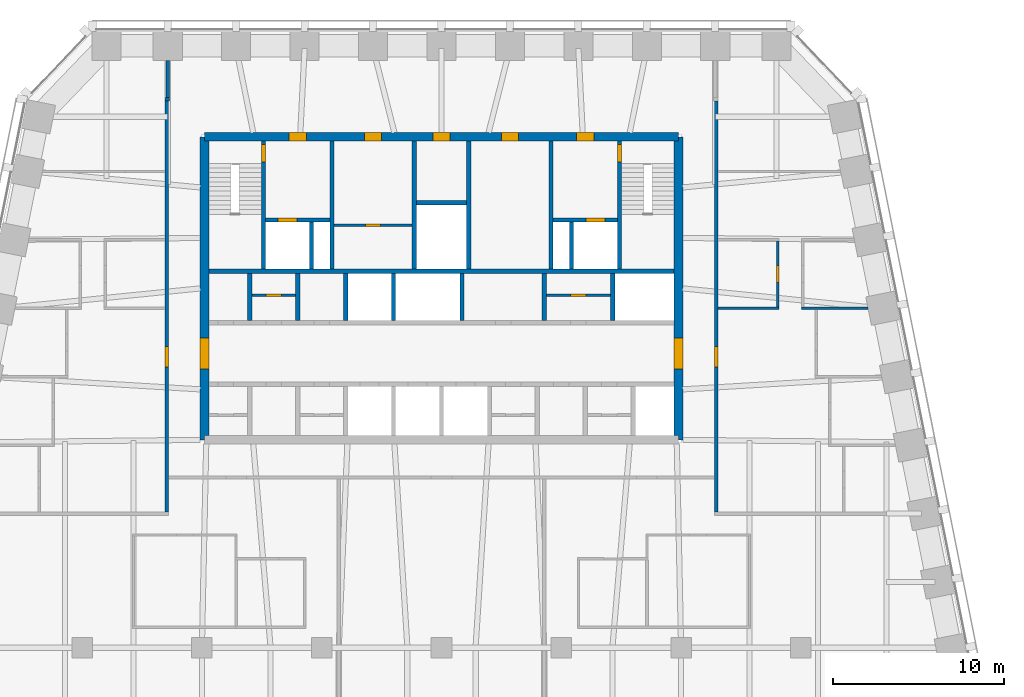
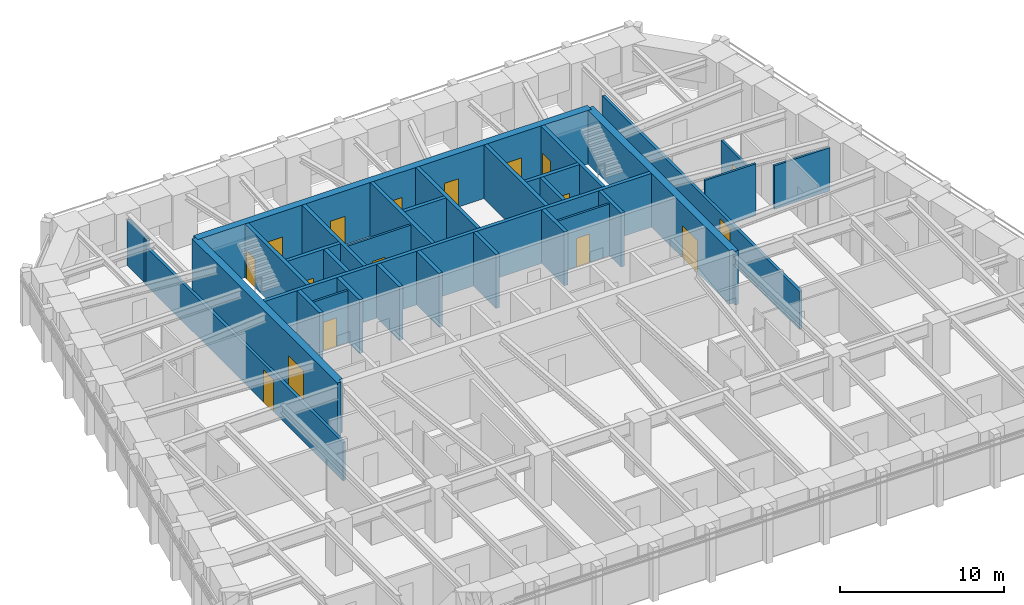
# One storey, part 8 of 11: 32 walls, 17 doors, 17 openings.
"""IFC4 building model written with IfcOpenShell, lengths in metres."""

from ifc_helpers import new_model, si_unit, direction, frame, frame_2d, origin, place, context, subcontext, project, spatial, polyline, rectangle, outline, extrude, material, layer, layer_set, type_object, element, fill, save


model = new_model("IFC4")

# Units and contexts
model_context = context("Model", 3, precision=1e-05, world=origin(), true_north=direction((0.0, 1.0)))
body_context = subcontext(model_context, "Body", "Model", "MODEL_VIEW")
ifc_project = project(units=[si_unit("LENGTHUNIT", "METRE"), si_unit("AREAUNIT", "SQUARE_METRE"), si_unit("VOLUMEUNIT", "CUBIC_METRE"), si_unit("PLANEANGLEUNIT", "RADIAN"), si_unit("MASSUNIT", "GRAM", prefix="KILO")], contexts=[model_context])

# Site, building, storey
site_placement = place(None, origin())
site = spatial("IfcSite", under=ifc_project, at=site_placement, CompositionType="ELEMENT")
building_placement = place(site_placement, origin())
building = spatial("IfcBuilding", under=site, at=building_placement, Name="Isbrekke Arena Tower", CompositionType="ELEMENT")
storey_placement = place(building_placement, frame((0.0, 0.0, 248.0)))
storey = spatial("IfcBuildingStorey", under=building, at=storey_placement, Name="L57", CompositionType="ELEMENT", Elevation=248.0)

# Wall, opening, door
ifc_material_1 = material(Name="Concrete B55 (C55/67)", Category="concrete")
ifc_layer_1 = layer(ifc_material_1, 0.5)
ifc_layer_set_1 = layer_set([ifc_layer_1], Name="CW5 CORE WALL 500")
wall_type_1 = type_object("IfcWallType", Name="CW5 CORE WALL 500", PredefinedType="SHEAR", material=ifc_layer_set_1)
wall_1_placement = place(storey_placement, frame((13.85009765625, 6.14990234375, 0.0), z_axis=(0.0, 0.0, 1.0), x_axis=(0.0, 1.0, 0.0)))
wall_1 = element("IfcWall", 1, at=wall_1_placement, inside=storey, type_object=wall_type_1, Name="Core wall E L57", PredefinedType="SHEAR", context=body_context, shape_type="SweptSolid", body=[
    extrude(outline(polyline([(0.0, -0.25), (17.7001953125, -0.25), (17.7001953125, 0.0), (17.4501953125, 0.0), (17.4501953125, 0.25), (0.25, 0.25), (0.25, 0.0), (0.0, 0.0), (0.0, -0.25)])), origin(), (0.0, 0.0, 1.0), 4.0),
])
opening_1_placement = place(wall_1_placement, frame((4.14990234375, 0.0, 0.0)))
opening_1 = element("IfcOpeningElement", 2, at=opening_1_placement, cuts=wall_1, Name="Opening D1", PredefinedType="OPENING", context=body_context, shape_type="SweptSolid", body=[
    extrude(rectangle(XDim=1.800048828125, YDim=2.39990234375, at=frame_2d((0.89990234375, 1.199951171875))), frame((0.0, 0.264892578125, 0.0), z_axis=(0.0, -1.0, 0.0), x_axis=(1.0, 0.0, 0.0)), (0.0, 0.0, 1.0), 0.52978515625),
])
ifc_material_2 = material(Name="Steel-framed glazed fire door", Category="steel")
door_type_1 = type_object("IfcDoorType", Name="D1 CORE LOBBY DOOR 1800 x 2400", OperationType="DOUBLE_DOOR_SINGLE_SWING", PredefinedType="DOOR", material=ifc_material_2)
door_1_placement = place(opening_1_placement, origin())
door_1 = element("IfcDoor", 3, at=door_1_placement, inside=storey, type_object=door_type_1, Name="D1 lift lobby door east L57", OperationType="DOUBLE_DOOR_SINGLE_SWING", OverallHeight=2.39990234375, OverallWidth=1.800048828125, PredefinedType="DOOR", context=body_context, shape_type="SweptSolid", body=[
    extrude(rectangle(XDim=1.800048828125, YDim=2.39990234375, at=frame_2d((0.89990234375, 1.199951171875))), frame((0.0, 0.249755859375, 0.0), z_axis=(0.0, -1.0, 0.0), x_axis=(1.0, 0.0, 0.0)), (0.0, 0.0, 1.0), 0.49951171875),
])
fill(opening_1, door_1)

# Wall, openings, doors
wall_2_placement = place(storey_placement, frame((13.85009765625, 23.85009765625, 0.0), z_axis=(0.0, 0.0, 1.0), x_axis=(-1.0, 0.0, 0.0)))
wall_2 = element("IfcWall", 4, at=wall_2_placement, inside=storey, type_object=wall_type_1, Name="Core wall N L57", PredefinedType="SHEAR", context=body_context, shape_type="SweptSolid", body=[
    extrude(rectangle(XDim=27.7001953125, YDim=0.5, at=frame_2d((13.85009765625, 0.0))), origin(), (0.0, 0.0, 1.0), 4.0),
])
opening_2_placement = place(wall_2_placement, frame((21.75, 0.0, 0.0)))
opening_2 = element("IfcOpeningElement", 5, at=opening_2_placement, cuts=wall_2, Name="Opening D3", PredefinedType="OPENING", context=body_context, shape_type="SweptSolid", body=[
    extrude(rectangle(XDim=1.0, YDim=2.10009765625, at=frame_2d((0.5, 1.050048828125))), frame((0.0, 0.264892578125, 0.0), z_axis=(0.0, -1.0, 0.0), x_axis=(1.0, 0.0, 0.0)), (0.0, 0.0, 1.0), 0.52978515625),
])
opening_3_placement = place(wall_2_placement, frame((4.949951171875, 0.0, 0.0)))
opening_3 = element("IfcOpeningElement", 6, at=opening_3_placement, cuts=wall_2, Name="Opening D3", PredefinedType="OPENING", context=body_context, shape_type="SweptSolid", body=[
    extrude(rectangle(XDim=1.0, YDim=2.10009765625, at=frame_2d((0.5, 1.050048828125))), frame((0.0, 0.264892578125, 0.0), z_axis=(0.0, -1.0, 0.0), x_axis=(1.0, 0.0, 0.0)), (0.0, 0.0, 1.0), 0.52978515625),
])
opening_4_placement = place(wall_2_placement, frame((17.35009765625, 0.0, 0.0)))
opening_4 = element("IfcOpeningElement", 7, at=opening_4_placement, cuts=wall_2, Name="Opening D4", PredefinedType="OPENING", context=body_context, shape_type="SweptSolid", body=[
    extrude(rectangle(XDim=1.0, YDim=2.10009765625, at=frame_2d((0.5, 1.050048828125))), frame((0.0, 0.264892578125, 0.0), z_axis=(0.0, -1.0, 0.0), x_axis=(1.0, 0.0, 0.0)), (0.0, 0.0, 1.0), 0.52978515625),
])
opening_5_placement = place(wall_2_placement, frame((13.35009765625, 0.0, 0.0)))
opening_5 = element("IfcOpeningElement", 8, at=opening_5_placement, cuts=wall_2, Name="Opening D4", PredefinedType="OPENING", context=body_context, shape_type="SweptSolid", body=[
    extrude(rectangle(XDim=1.0, YDim=2.10009765625, at=frame_2d((0.5, 1.050048828125))), frame((0.0, 0.264892578125, 0.0), z_axis=(0.0, -1.0, 0.0), x_axis=(1.0, 0.0, 0.0)), (0.0, 0.0, 1.0), 0.52978515625),
])
opening_6_placement = place(wall_2_placement, frame((9.35009765625, 0.0, 0.0)))
opening_6 = element("IfcOpeningElement", 9, at=opening_6_placement, cuts=wall_2, Name="Opening D4", PredefinedType="OPENING", context=body_context, shape_type="SweptSolid", body=[
    extrude(rectangle(XDim=1.0, YDim=2.10009765625, at=frame_2d((0.5, 1.050048828125))), frame((0.0, 0.264892578125, 0.0), z_axis=(0.0, -1.0, 0.0), x_axis=(1.0, 0.0, 0.0)), (0.0, 0.0, 1.0), 0.52978515625),
])
ifc_material_3 = material(Name="Steel fire door", Category="steel")
door_type_2 = type_object("IfcDoorType", Name="D3 FIRE LOBBY DOOR 1000 x 2100", OperationType="SINGLE_SWING_RIGHT", PredefinedType="DOOR", material=ifc_material_3)
door_2_placement = place(opening_2_placement, origin())
door_2 = element("IfcDoor", 10, at=door_2_placement, inside=storey, type_object=door_type_2, Name="D3 fire-fighting lobby door L57", OperationType="SINGLE_SWING_RIGHT", OverallHeight=2.10009765625, OverallWidth=1.0, PredefinedType="DOOR", context=body_context, shape_type="SweptSolid", body=[
    extrude(rectangle(XDim=1.0, YDim=2.10009765625, at=frame_2d((0.5, 1.050048828125))), frame((0.0, 0.249755859375, 0.0), z_axis=(0.0, -1.0, 0.0), x_axis=(1.0, 0.0, 0.0)), (0.0, 0.0, 1.0), 0.49951171875),
])
fill(opening_2, door_2)
door_3_placement = place(opening_3_placement, origin())
door_3 = element("IfcDoor", 11, at=door_3_placement, inside=storey, type_object=door_type_2, Name="D3 fire-fighting lobby door L57", OperationType="SINGLE_SWING_RIGHT", OverallHeight=2.10009765625, OverallWidth=1.0, PredefinedType="DOOR", context=body_context, shape_type="SweptSolid", body=[
    extrude(rectangle(XDim=1.0, YDim=2.10009765625, at=frame_2d((0.5, 1.050048828125))), frame((0.0, 0.249755859375, 0.0), z_axis=(0.0, -1.0, 0.0), x_axis=(1.0, 0.0, 0.0)), (0.0, 0.0, 1.0), 0.49951171875),
])
fill(opening_3, door_3)
ifc_material_4 = material(Name="Timber door", Category="wood")
door_type_3 = type_object("IfcDoorType", Name="D4 WC DOOR 1000 x 2100", OperationType="SINGLE_SWING_LEFT", PredefinedType="DOOR", material=ifc_material_4)
door_4_placement = place(opening_4_placement, origin())
door_4 = element("IfcDoor", 12, at=door_4_placement, inside=storey, type_object=door_type_3, Name="D4 wc female door L57", OperationType="SINGLE_SWING_LEFT", OverallHeight=2.10009765625, OverallWidth=1.0, PredefinedType="DOOR", context=body_context, shape_type="SweptSolid", body=[
    extrude(rectangle(XDim=1.0, YDim=2.10009765625, at=frame_2d((0.5, 1.050048828125))), frame((0.0, 0.249755859375, 0.0), z_axis=(0.0, -1.0, 0.0), x_axis=(1.0, 0.0, 0.0)), (0.0, 0.0, 1.0), 0.49951171875),
])
fill(opening_4, door_4)
door_5_placement = place(opening_5_placement, origin())
door_5 = element("IfcDoor", 13, at=door_5_placement, inside=storey, type_object=door_type_3, Name="D4 accessible wc door L57", OperationType="SINGLE_SWING_LEFT", OverallHeight=2.10009765625, OverallWidth=1.0, PredefinedType="DOOR", context=body_context, shape_type="SweptSolid", body=[
    extrude(rectangle(XDim=1.0, YDim=2.10009765625, at=frame_2d((0.5, 1.050048828125))), frame((0.0, 0.249755859375, 0.0), z_axis=(0.0, -1.0, 0.0), x_axis=(1.0, 0.0, 0.0)), (0.0, 0.0, 1.0), 0.49951171875),
])
fill(opening_5, door_5)
door_6_placement = place(opening_6_placement, origin())
door_6 = element("IfcDoor", 14, at=door_6_placement, inside=storey, type_object=door_type_3, Name="D4 wc male door L57", OperationType="SINGLE_SWING_LEFT", OverallHeight=2.10009765625, OverallWidth=1.0, PredefinedType="DOOR", context=body_context, shape_type="SweptSolid", body=[
    extrude(rectangle(XDim=1.0, YDim=2.10009765625, at=frame_2d((0.5, 1.050048828125))), frame((0.0, 0.249755859375, 0.0), z_axis=(0.0, -1.0, 0.0), x_axis=(1.0, 0.0, 0.0)), (0.0, 0.0, 1.0), 0.49951171875),
])
fill(opening_6, door_6)

# Wall, opening, door
wall_3_placement = place(storey_placement, frame((-13.85009765625, 23.85009765625, 0.0), z_axis=(0.0, 0.0, 1.0), x_axis=(0.0, -1.0, 0.0)))
wall_3 = element("IfcWall", 15, at=wall_3_placement, inside=storey, type_object=wall_type_1, Name="Core wall W L57", PredefinedType="SHEAR", context=body_context, shape_type="SweptSolid", body=[
    extrude(outline(polyline([(0.0, -0.25), (17.7001953125, -0.25), (17.7001953125, 0.0), (17.4501953125, 0.0), (17.4501953125, 0.25), (0.25, 0.25), (0.25, 0.0), (0.0, 0.0), (0.0, -0.25)])), origin(), (0.0, 0.0, 1.0), 4.0),
])
opening_7_placement = place(wall_3_placement, frame((11.75, 0.0, 0.0)))
opening_7 = element("IfcOpeningElement", 16, at=opening_7_placement, cuts=wall_3, Name="Opening D1", PredefinedType="OPENING", context=body_context, shape_type="SweptSolid", body=[
    extrude(rectangle(XDim=1.800048828125, YDim=2.39990234375, at=frame_2d((0.89990234375, 1.199951171875))), frame((0.0, 0.264892578125, 0.0), z_axis=(0.0, -1.0, 0.0), x_axis=(1.0, 0.0, 0.0)), (0.0, 0.0, 1.0), 0.52978515625),
])
door_7_placement = place(opening_7_placement, origin())
door_7 = element("IfcDoor", 17, at=door_7_placement, inside=storey, type_object=door_type_1, Name="D1 lift lobby door west L57", OperationType="DOUBLE_DOOR_SINGLE_SWING", OverallHeight=2.39990234375, OverallWidth=1.800048828125, PredefinedType="DOOR", context=body_context, shape_type="SweptSolid", body=[
    extrude(rectangle(XDim=1.800048828125, YDim=2.39990234375, at=frame_2d((0.89990234375, 1.199951171875))), frame((0.0, 0.249755859375, 0.0), z_axis=(0.0, -1.0, 0.0), x_axis=(1.0, 0.0, 0.0)), (0.0, 0.0, 1.0), 0.49951171875),
])
fill(opening_7, door_7)

# Walls
ifc_material_5 = material(Name="Concrete B45 (C45/55)", Category="concrete")
ifc_layer_2 = layer(ifc_material_5, 0.25)
ifc_layer_set_2 = layer_set([ifc_layer_2], Name="CW6 SHAFT WALL 250")
wall_type_2 = type_object("IfcWallType", Name="CW6 SHAFT WALL 250", PredefinedType="SHEAR", material=ifc_layer_set_2)
wall_4_placement = place(storey_placement, frame((-13.60009765625, 16.0, 0.0), z_axis=(0.0, 0.0, 1.0), x_axis=(1.0, 0.0, 0.0)))
element("IfcWall", 18, at=wall_4_placement, inside=storey, type_object=wall_type_2, Name="Core wall NB L57", PredefinedType="SHEAR", context=body_context, shape_type="SweptSolid", body=[
    extrude(rectangle(XDim=27.2001953125, YDim=0.25, at=frame_2d((13.60009765625, 0.0))), origin(), (0.0, 0.0, 1.0), 4.0),
])
for number, where, z_axis, x_axis, name in (
    (19, (-11.199951171875, 13.125, 0.0), (0.0, 0.0, 1.0), (0.0, 1.0, 0.0), "Core wall SN01 L57"),
    (20, (-8.39990234375, 13.125, 0.0), (0.0, 0.0, 1.0), (0.0, 1.0, 0.0), "Core wall SN02 L57"),
    (21, (-5.60009765625, 13.125, 0.0), (0.0, 0.0, 1.0), (0.0, 1.0, 0.0), "Core wall SN03 L57"),
    (22, (-2.800048828125, 13.125, 0.0), (0.0, 0.0, 1.0), (0.0, 1.0, 0.0), "Core wall SN04 L57"),
    (23, (1.199951171875, 13.125, 0.0), (0.0, 0.0, 1.0), (0.0, 1.0, 0.0), "Core wall SN05 L57"),
    (24, (6.0, 13.125, 0.0), (0.0, 0.0, 1.0), (0.0, 1.0, 0.0), "Core wall SN06 L57"),
    (25, (10.0, 13.125, 0.0), (0.0, 0.0, 1.0), (0.0, 1.0, 0.0), "Core wall SN07 L57"),
):
    element("IfcWall", number, at=place(storey_placement, frame(where, z_axis=z_axis, x_axis=x_axis)), inside=storey, type_object=wall_type_2, Name=name, PredefinedType="SHEAR", context=body_context, shape_type="SweptSolid", body=[
        extrude(rectangle(XDim=2.75, YDim=0.25, at=frame_2d((1.375, 0.0))), origin(), (0.0, 0.0, 1.0), 4.0),
    ])

# Wall, opening, door
wall_5_placement = place(storey_placement, frame((-10.39990234375, 16.125, 0.0), z_axis=(0.0, 0.0, 1.0), x_axis=(0.0, 1.0, 0.0)))
wall_5 = element("IfcWall", 26, at=wall_5_placement, inside=storey, type_object=wall_type_2, Name="Core wall NV01 L57", PredefinedType="SHEAR", context=body_context, shape_type="SweptSolid", body=[
    extrude(rectangle(XDim=7.47509765625, YDim=0.25, at=frame_2d((3.737548828125, 0.0))), origin(), (0.0, 0.0, 1.0), 4.0),
])
opening_8_placement = place(wall_5_placement, frame((6.27490234375, 0.0, 0.0)))
opening_8 = element("IfcOpeningElement", 27, at=opening_8_placement, cuts=wall_5, Name="Opening D2", PredefinedType="OPENING", context=body_context, shape_type="SweptSolid", body=[
    extrude(rectangle(XDim=1.0, YDim=2.10009765625, at=frame_2d((0.5, 1.050048828125))), frame((0.0, 0.139892578125, 0.0), z_axis=(0.0, -1.0, 0.0), x_axis=(1.0, 0.0, 0.0)), (0.0, 0.0, 1.0), 0.27978515625),
])
ifc_material_6 = material(Name="Steel fire door", Category="steel")
door_type_4 = type_object("IfcDoorType", Name="D2 STAIR DOOR 1000 x 2100", OperationType="SINGLE_SWING_LEFT", PredefinedType="DOOR", material=ifc_material_6)
door_8_placement = place(opening_8_placement, origin())
door_8 = element("IfcDoor", 28, at=door_8_placement, inside=storey, type_object=door_type_4, Name="D2 stair door ST1 L57", OperationType="SINGLE_SWING_LEFT", OverallHeight=2.10009765625, OverallWidth=1.0, PredefinedType="DOOR", context=body_context, shape_type="SweptSolid", body=[
    extrude(rectangle(XDim=1.0, YDim=2.10009765625, at=frame_2d((0.5, 1.050048828125))), frame((0.0, 0.124755859375, 0.0), z_axis=(0.0, -1.0, 0.0), x_axis=(1.0, 0.0, 0.0)), (0.0, 0.0, 1.0), 0.24951171875),
])
fill(opening_8, door_8)

# Walls
for number, where, z_axis, x_axis, name in (
    (29, (-6.39990234375, 16.125, 0.0), (0.0, 0.0, 1.0), (0.0, 1.0, 0.0), "Core wall NV02 L57"),
    (30, (-1.60009765625, 16.125, 0.0), (0.0, 0.0, 1.0), (0.0, 1.0, 0.0), "Core wall NV03 L57"),
    (31, (1.60009765625, 16.125, 0.0), (0.0, 0.0, 1.0), (0.0, 1.0, 0.0), "Core wall NV04 L57"),
    (32, (6.39990234375, 16.125, 0.0), (0.0, 0.0, 1.0), (0.0, 1.0, 0.0), "Core wall NV05 L57"),
):
    element("IfcWall", number, at=place(storey_placement, frame(where, z_axis=z_axis, x_axis=x_axis)), inside=storey, type_object=wall_type_2, Name=name, PredefinedType="SHEAR", context=body_context, shape_type="SweptSolid", body=[
        extrude(rectangle(XDim=7.47509765625, YDim=0.25, at=frame_2d((3.737548828125, 0.0))), origin(), (0.0, 0.0, 1.0), 4.0),
    ])

# Wall, opening, door
wall_6_placement = place(storey_placement, frame((10.39990234375, 16.125, 0.0), z_axis=(0.0, 0.0, 1.0), x_axis=(0.0, 1.0, 0.0)))
wall_6 = element("IfcWall", 33, at=wall_6_placement, inside=storey, type_object=wall_type_2, Name="Core wall NV06 L57", PredefinedType="SHEAR", context=body_context, shape_type="SweptSolid", body=[
    extrude(rectangle(XDim=7.47509765625, YDim=0.25, at=frame_2d((3.737548828125, 0.0))), origin(), (0.0, 0.0, 1.0), 4.0),
])
opening_9_placement = place(wall_6_placement, frame((6.27490234375, 0.0, 0.0)))
opening_9 = element("IfcOpeningElement", 34, at=opening_9_placement, cuts=wall_6, Name="Opening D2", PredefinedType="OPENING", context=body_context, shape_type="SweptSolid", body=[
    extrude(rectangle(XDim=1.0, YDim=2.10009765625, at=frame_2d((0.5, 1.050048828125))), frame((0.0, 0.139892578125, 0.0), z_axis=(0.0, -1.0, 0.0), x_axis=(1.0, 0.0, 0.0)), (0.0, 0.0, 1.0), 0.27978515625),
])
door_9_placement = place(opening_9_placement, origin())
door_9 = element("IfcDoor", 35, at=door_9_placement, inside=storey, type_object=door_type_4, Name="D2 stair door ST2 L57", OperationType="SINGLE_SWING_LEFT", OverallHeight=2.10009765625, OverallWidth=1.0, PredefinedType="DOOR", context=body_context, shape_type="SweptSolid", body=[
    extrude(rectangle(XDim=1.0, YDim=2.10009765625, at=frame_2d((0.5, 1.050048828125))), frame((0.0, 0.124755859375, 0.0), z_axis=(0.0, -1.0, 0.0), x_axis=(1.0, 0.0, 0.0)), (0.0, 0.0, 1.0), 0.24951171875),
])
fill(opening_9, door_9)

wall_7_placement = place(storey_placement, frame((-10.27490234375, 19.0, 0.0), z_axis=(0.0, 0.0, 1.0), x_axis=(1.0, 0.0, 0.0)))
wall_7 = element("IfcWall", 36, at=wall_7_placement, inside=storey, type_object=wall_type_2, Name="Core wall NFW L57", PredefinedType="SHEAR", context=body_context, shape_type="SweptSolid", body=[
    extrude(rectangle(XDim=3.75, YDim=0.25, at=frame_2d((1.875, 0.0))), origin(), (0.0, 0.0, 1.0), 4.0),
])
opening_10_placement = place(wall_7_placement, frame((0.72509765625, 0.0, 0.0)))
opening_10 = element("IfcOpeningElement", 37, at=opening_10_placement, cuts=wall_7, Name="Opening LD2", PredefinedType="OPENING", context=body_context, shape_type="SweptSolid", body=[
    extrude(rectangle(XDim=1.10009765625, YDim=2.10009765625, at=frame_2d((0.550048828125, 1.050048828125))), frame((0.0, 0.139892578125, 0.0), z_axis=(0.0, -1.0, 0.0), x_axis=(1.0, 0.0, 0.0)), (0.0, 0.0, 1.0), 0.27978515625),
])
ifc_material_7 = material(Name="Stainless steel lift landing door", Category="steel")
door_type_5 = type_object("IfcDoorType", Name="LD2 FIRE-FIGHTING LIFT LANDING DOOR 1100 x 2100", OperationType="SLIDING_TO_RIGHT", PredefinedType="DOOR", material=ifc_material_7)
door_10_placement = place(opening_10_placement, origin())
door_10 = element("IfcDoor", 38, at=door_10_placement, inside=storey, type_object=door_type_5, Name="LD2 lift landing door LF L57", OperationType="SLIDING_TO_RIGHT", OverallHeight=2.10009765625, OverallWidth=1.10009765625, PredefinedType="DOOR", context=body_context, shape_type="SweptSolid", body=[
    extrude(rectangle(XDim=1.10009765625, YDim=2.10009765625, at=frame_2d((0.550048828125, 1.050048828125))), frame((0.0, 0.124755859375, 0.0), z_axis=(0.0, -1.0, 0.0), x_axis=(1.0, 0.0, 0.0)), (0.0, 0.0, 1.0), 0.24951171875),
])
fill(opening_10, door_10)

wall_8_placement = place(storey_placement, frame((6.52490234375, 19.0, 0.0), z_axis=(0.0, 0.0, 1.0), x_axis=(1.0, 0.0, 0.0)))
wall_8 = element("IfcWall", 39, at=wall_8_placement, inside=storey, type_object=wall_type_2, Name="Core wall NFE L57", PredefinedType="SHEAR", context=body_context, shape_type="SweptSolid", body=[
    extrude(rectangle(XDim=3.75, YDim=0.25, at=frame_2d((1.875, 0.0))), origin(), (0.0, 0.0, 1.0), 4.0),
])
opening_11_placement = place(wall_8_placement, frame((1.925048828125, 0.0, 0.0)))
opening_11 = element("IfcOpeningElement", 40, at=opening_11_placement, cuts=wall_8, Name="Opening LD2", PredefinedType="OPENING", context=body_context, shape_type="SweptSolid", body=[
    extrude(rectangle(XDim=1.10009765625, YDim=2.10009765625, at=frame_2d((0.550048828125, 1.050048828125))), frame((0.0, 0.139892578125, 0.0), z_axis=(0.0, -1.0, 0.0), x_axis=(1.0, 0.0, 0.0)), (0.0, 0.0, 1.0), 0.27978515625),
])
door_11_placement = place(opening_11_placement, origin())
door_11 = element("IfcDoor", 41, at=door_11_placement, inside=storey, type_object=door_type_5, Name="LD2 lift landing door LF L57", OperationType="SLIDING_TO_RIGHT", OverallHeight=2.10009765625, OverallWidth=1.10009765625, PredefinedType="DOOR", context=body_context, shape_type="SweptSolid", body=[
    extrude(rectangle(XDim=1.10009765625, YDim=2.10009765625, at=frame_2d((0.550048828125, 1.050048828125))), frame((0.0, 0.124755859375, 0.0), z_axis=(0.0, -1.0, 0.0), x_axis=(1.0, 0.0, 0.0)), (0.0, 0.0, 1.0), 0.24951171875),
])
fill(opening_11, door_11)

# Walls
for number, where, z_axis, x_axis, name in (
    (42, (-7.60009765625, 16.125, 0.0), (0.0, 0.0, 1.0), (0.0, 1.0, 0.0), "Core wall NFS1 L57"),
    (43, (7.60009765625, 16.125, 0.0), (0.0, 0.0, 1.0), (0.0, 1.0, 0.0), "Core wall NFS2 L57"),
):
    element("IfcWall", number, at=place(storey_placement, frame(where, z_axis=z_axis, x_axis=x_axis)), inside=storey, type_object=wall_type_2, Name=name, PredefinedType="SHEAR", context=body_context, shape_type="SweptSolid", body=[
        extrude(rectangle(XDim=2.75, YDim=0.25, at=frame_2d((1.375, 0.0))), origin(), (0.0, 0.0, 1.0), 4.0),
    ])
wall_9_placement = place(storey_placement, frame((-1.47509765625, 20.0, 0.0), z_axis=(0.0, 0.0, 1.0), x_axis=(1.0, 0.0, 0.0)))
element("IfcWall", 44, at=wall_9_placement, inside=storey, type_object=wall_type_2, Name="Core wall NWC L57", PredefinedType="SHEAR", context=body_context, shape_type="SweptSolid", body=[
    extrude(rectangle(XDim=2.9501953125, YDim=0.25, at=frame_2d((1.47509765625, 0.0))), origin(), (0.0, 0.0, 1.0), 4.0),
])
ifc_material_8 = material(Name="Gypsum board partition on steel studs", Category="steel")
ifc_layer_3 = layer(ifc_material_8, 0.14990234375)
ifc_layer_set_3 = layer_set([ifc_layer_3], Name="IW1 PARTITION 150")
wall_type_3 = type_object("IfcWallType", Name="IW1 PARTITION 150", PredefinedType="PARTITIONING", material=ifc_layer_set_3)
wall_10_placement = place(storey_placement, frame((16.14990234375, 13.840087890625, 0.0), z_axis=(0.0, 0.0, 1.0), x_axis=(1.0, 0.0, 0.0)))
element("IfcWall", 45, at=wall_10_placement, inside=storey, type_object=wall_type_3, Name="IW1 partition 150 L57", PredefinedType="PARTITIONING", context=body_context, shape_type="SweptSolid", body=[
    extrude(rectangle(XDim=3.5751953125, YDim=0.14990234375, at=frame_2d((1.78759765625, 0.0))), origin(), (0.0, 0.0, 1.0), 3.85009765625),
])
wall_11_placement = place(storey_placement, frame((21.02490234375, 13.840087890625, 0.0), z_axis=(0.0, 0.0, 1.0), x_axis=(1.0, 0.0, 0.0)))
element("IfcWall", 46, at=wall_11_placement, inside=storey, type_object=wall_type_3, Name="IW1 partition 150 L57", PredefinedType="PARTITIONING", context=body_context, shape_type="SweptSolid", body=[
    extrude(rectangle(XDim=3.89892578125, YDim=0.14990234375, at=frame_2d((1.949462890625, 0.0))), origin(), (0.0, 0.0, 1.0), 3.22998046875),
])

# Wall, opening, door
wall_12_placement = place(storey_placement, frame((19.64990234375, 13.9150390625, 0.0), z_axis=(0.0, 0.0, 1.0), x_axis=(0.0, 1.0, 0.0)))
wall_12 = element("IfcWall", 47, at=wall_12_placement, inside=storey, type_object=wall_type_3, Name="IW1 partition 150 L57", PredefinedType="PARTITIONING", context=body_context, shape_type="SweptSolid", body=[
    extrude(rectangle(XDim=3.849853515625, YDim=0.14990234375, at=frame_2d((1.9248046875, 0.0))), origin(), (0.0, 0.0, 1.0), 3.22998046875),
])
opening_12_placement = place(wall_12_placement, frame((1.425048828125, 0.0, 0.0)))
opening_12 = element("IfcOpeningElement", 48, at=opening_12_placement, cuts=wall_12, Name="Opening D10", PredefinedType="OPENING", context=body_context, shape_type="SweptSolid", body=[
    extrude(rectangle(XDim=1.0, YDim=2.300048828125, at=frame_2d((0.5, 1.14990234375))), frame((0.0, 0.08984375, 0.0), z_axis=(0.0, -1.0, 0.0), x_axis=(1.0, 0.0, 0.0)), (0.0, 0.0, 1.0), 0.1796875),
])
ifc_material_9 = material(Name="Timber door", Category="wood")
door_type_6 = type_object("IfcDoorType", Name="D10 OFFICE DOOR 1000 x 2300", OperationType="SINGLE_SWING_LEFT", PredefinedType="DOOR", material=ifc_material_9)
door_12_placement = place(opening_12_placement, origin())
door_12 = element("IfcDoor", 49, at=door_12_placement, inside=storey, type_object=door_type_6, Name="D10 pantry door L57", OperationType="SINGLE_SWING_LEFT", OverallHeight=2.300048828125, OverallWidth=1.0, PredefinedType="DOOR", context=body_context, shape_type="SweptSolid", body=[
    extrude(rectangle(XDim=1.0, YDim=2.300048828125, at=frame_2d((0.5, 1.14990234375))), frame((0.0, 0.07470703125, 0.0), z_axis=(0.0, -1.0, 0.0), x_axis=(1.0, 0.0, 0.0)), (0.0, 0.0, 1.0), 0.1494140625),
])
fill(opening_12, door_12)

# Wall
ifc_material_10 = material(Name="Gypsum board fire-cell wall on steel studs, two layers each side", Category="steel")
ifc_layer_4 = layer(ifc_material_10, 0.199951171875)
ifc_layer_set_4 = layer_set([ifc_layer_4], Name="IW3 FIRE-CELL WALL 200")
wall_type_4 = type_object("IfcWallType", Name="IW3 FIRE-CELL WALL 200", PredefinedType="PARTITIONING", material=ifc_layer_set_4)
wall_13_placement = place(storey_placement, frame((-16.14990234375, 26.050048828125, 0.0), z_axis=(0.0, 0.0, 1.0), x_axis=(1.0, 0.0, 0.0)))
element("IfcWall", 50, at=wall_13_placement, inside=storey, type_object=wall_type_4, Name="IW3 fire-cell wall 200 L57", PredefinedType="PARTITIONING", context=body_context, shape_type="SweptSolid", body=[
    extrude(rectangle(XDim=0.25, YDim=0.199951171875, at=frame_2d((0.125, 0.0))), origin(), (0.0, 0.0, 1.0), 3.41796875),
])

# Wall, opening, door
wall_14_placement = place(storey_placement, frame((-16.050048828125, 1.93994140625, 0.0), z_axis=(0.0, 0.0, 1.0), x_axis=(0.0, 1.0, 0.0)))
wall_14 = element("IfcWall", 51, at=wall_14_placement, inside=storey, type_object=wall_type_4, Name="IW3 fire-cell wall 200 L57", PredefinedType="PARTITIONING", context=body_context, shape_type="SweptSolid", body=[
    extrude(rectangle(XDim=24.010009765625, YDim=0.199951171875, at=frame_2d((12.0048828125, 0.0))), origin(), (0.0, 0.0, 1.0), 2.842041015625),
])
opening_13_placement = place(wall_14_placement, frame((8.4599609375, 0.0, 0.0)))
opening_13 = element("IfcOpeningElement", 52, at=opening_13_placement, cuts=wall_14, Name="Opening D12", PredefinedType="OPENING", context=body_context, shape_type="SweptSolid", body=[
    extrude(rectangle(XDim=1.199951171875, YDim=2.39990234375, at=frame_2d((0.60009765625, 1.199951171875))), frame((0.0, 0.11474609375, 0.0), z_axis=(0.0, -1.0, 0.0), x_axis=(1.0, 0.0, 0.0)), (0.0, 0.0, 1.0), 0.229736328125),
])
ifc_material_11 = material(Name="Timber fire door with vision panel", Category="wood")
door_type_7 = type_object("IfcDoorType", Name="D12 SUITE ENTRANCE DOOR 1200 x 2400", OperationType="SINGLE_SWING_LEFT", PredefinedType="DOOR", material=ifc_material_11)
door_13_placement = place(opening_13_placement, origin())
door_13 = element("IfcDoor", 53, at=door_13_placement, inside=storey, type_object=door_type_7, Name="D12 suite entrance W door L57", OperationType="SINGLE_SWING_LEFT", OverallHeight=2.39990234375, OverallWidth=1.199951171875, PredefinedType="DOOR", context=body_context, shape_type="SweptSolid", body=[
    extrude(rectangle(XDim=1.199951171875, YDim=2.39990234375, at=frame_2d((0.60009765625, 1.199951171875))), frame((0.0, 0.099609375, 0.0), z_axis=(0.0, -1.0, 0.0), x_axis=(1.0, 0.0, 0.0)), (0.0, 0.0, 1.0), 0.199462890625),
])
fill(opening_13, door_13)

# Wall
wall_15_placement = place(storey_placement, frame((-16.0, 26.14990234375, 0.0), z_axis=(0.0, 0.0, 1.0), x_axis=(0.0, 1.0, 0.0)))
element("IfcWall", 54, at=wall_15_placement, inside=storey, type_object=wall_type_4, Name="IW3 fire-cell wall 200 L57", PredefinedType="PARTITIONING", context=body_context, shape_type="SweptSolid", body=[
    extrude(rectangle(XDim=2.175048828125, YDim=0.199951171875, at=frame_2d((1.08740234375, 0.0))), origin(), (0.0, 0.0, 1.0), 3.41796875),
])

# Wall, opening, door
wall_16_placement = place(storey_placement, frame((16.050048828125, 1.93994140625, 0.0), z_axis=(0.0, 0.0, 1.0), x_axis=(0.0, 1.0, 0.0)))
wall_16 = element("IfcWall", 55, at=wall_16_placement, inside=storey, type_object=wall_type_4, Name="IW3 fire-cell wall 200 L57", PredefinedType="PARTITIONING", context=body_context, shape_type="SweptSolid", body=[
    extrude(rectangle(XDim=24.010009765625, YDim=0.199951171875, at=frame_2d((12.0048828125, 0.0))), origin(), (0.0, 0.0, 1.0), 2.842041015625),
])
opening_14_placement = place(wall_16_placement, frame((8.4599609375, 0.0, 0.0)))
opening_14 = element("IfcOpeningElement", 56, at=opening_14_placement, cuts=wall_16, Name="Opening D12", PredefinedType="OPENING", context=body_context, shape_type="SweptSolid", body=[
    extrude(rectangle(XDim=1.199951171875, YDim=2.39990234375, at=frame_2d((0.60009765625, 1.199951171875))), frame((0.0, 0.11474609375, 0.0), z_axis=(0.0, -1.0, 0.0), x_axis=(1.0, 0.0, 0.0)), (0.0, 0.0, 1.0), 0.229736328125),
])
door_14_placement = place(opening_14_placement, origin())
door_14 = element("IfcDoor", 57, at=door_14_placement, inside=storey, type_object=door_type_7, Name="D12 suite entrance E door L57", OperationType="SINGLE_SWING_LEFT", OverallHeight=2.39990234375, OverallWidth=1.199951171875, PredefinedType="DOOR", context=body_context, shape_type="SweptSolid", body=[
    extrude(rectangle(XDim=1.199951171875, YDim=2.39990234375, at=frame_2d((0.60009765625, 1.199951171875))), frame((0.0, 0.099609375, 0.0), z_axis=(0.0, -1.0, 0.0), x_axis=(1.0, 0.0, 0.0)), (0.0, 0.0, 1.0), 0.199462890625),
])
fill(opening_14, door_14)

ifc_material_12 = material(Name="Gypsum board fire-rated partition on steel studs, two layers each side", Category="steel")
ifc_layer_5 = layer(ifc_material_12, 0.14990234375)
ifc_layer_set_5 = layer_set([ifc_layer_5], Name="IW5 FIRE-RATED PARTITION 150")
wall_type_5 = type_object("IfcWallType", Name="IW5 FIRE-RATED PARTITION 150", PredefinedType="PARTITIONING", material=ifc_layer_set_5)
wall_17_placement = place(storey_placement, frame((-6.27490234375, 18.699951171875, 0.0), z_axis=(0.0, 0.0, 1.0), x_axis=(1.0, 0.0, 0.0)))
wall_17 = element("IfcWall", 58, at=wall_17_placement, inside=storey, type_object=wall_type_5, Name="IW5 fire-rated partition L57 cleaner's store F", PredefinedType="PARTITIONING", context=body_context, shape_type="SweptSolid", body=[
    extrude(rectangle(XDim=4.5498046875, YDim=0.14990234375, at=frame_2d((2.27490234375, 0.0))), origin(), (0.0, 0.0, 1.0), 3.85009765625),
])
opening_15_placement = place(wall_17_placement, frame((1.824951171875, 0.0, 0.0)))
opening_15 = element("IfcOpeningElement", 59, at=opening_15_placement, cuts=wall_17, Name="Opening D5", PredefinedType="OPENING", context=body_context, shape_type="SweptSolid", body=[
    extrude(rectangle(XDim=0.89990234375, YDim=2.10009765625, at=frame_2d((0.449951171875, 1.050048828125))), frame((0.0, 0.08984375, 0.0), z_axis=(0.0, -1.0, 0.0), x_axis=(1.0, 0.0, 0.0)), (0.0, 0.0, 1.0), 0.1796875),
])
ifc_material_13 = material(Name="Steel fire door", Category="steel")
door_type_8 = type_object("IfcDoorType", Name="D5 SERVICE DOOR 900 x 2100", OperationType="SINGLE_SWING_LEFT", PredefinedType="DOOR", material=ifc_material_13)
door_15_placement = place(opening_15_placement, origin())
door_15 = element("IfcDoor", 60, at=door_15_placement, inside=storey, type_object=door_type_8, Name="D5 cleaner's store door L57", OperationType="SINGLE_SWING_LEFT", OverallHeight=2.10009765625, OverallWidth=0.89990234375, PredefinedType="DOOR", context=body_context, shape_type="SweptSolid", body=[
    extrude(rectangle(XDim=0.89990234375, YDim=2.10009765625, at=frame_2d((0.449951171875, 1.050048828125))), frame((0.0, 0.07470703125, 0.0), z_axis=(0.0, -1.0, 0.0), x_axis=(1.0, 0.0, 0.0)), (0.0, 0.0, 1.0), 0.1494140625),
])
fill(opening_15, door_15)

wall_18_placement = place(storey_placement, frame((6.125, 14.60009765625, 0.0), z_axis=(0.0, 0.0, 1.0), x_axis=(1.0, 0.0, 0.0)))
wall_18 = element("IfcWall", 61, at=wall_18_placement, inside=storey, type_object=wall_type_5, Name="IW5 fire-rated partition L57 core service rooms 1", PredefinedType="PARTITIONING", context=body_context, shape_type="SweptSolid", body=[
    extrude(rectangle(XDim=3.75, YDim=0.14990234375, at=frame_2d((1.875, 0.0))), origin(), (0.0, 0.0, 1.0), 3.85009765625),
])
opening_16_placement = place(wall_18_placement, frame((1.425048828125, 0.0, 0.0)))
opening_16 = element("IfcOpeningElement", 62, at=opening_16_placement, cuts=wall_18, Name="Opening D5", PredefinedType="OPENING", context=body_context, shape_type="SweptSolid", body=[
    extrude(rectangle(XDim=0.89990234375, YDim=2.10009765625, at=frame_2d((0.449951171875, 1.050048828125))), frame((0.0, 0.08984375, 0.0), z_axis=(0.0, -1.0, 0.0), x_axis=(1.0, 0.0, 0.0)), (0.0, 0.0, 1.0), 0.1796875),
])
door_16_placement = place(opening_16_placement, origin())
door_16 = element("IfcDoor", 63, at=door_16_placement, inside=storey, type_object=door_type_8, Name="D5 technical room door L57", OperationType="SINGLE_SWING_LEFT", OverallHeight=2.10009765625, OverallWidth=0.89990234375, PredefinedType="DOOR", context=body_context, shape_type="SweptSolid", body=[
    extrude(rectangle(XDim=0.89990234375, YDim=2.10009765625, at=frame_2d((0.449951171875, 1.050048828125))), frame((0.0, 0.07470703125, 0.0), z_axis=(0.0, -1.0, 0.0), x_axis=(1.0, 0.0, 0.0)), (0.0, 0.0, 1.0), 0.1494140625),
])
fill(opening_16, door_16)

wall_19_placement = place(storey_placement, frame((-11.074951171875, 14.60009765625, 0.0), z_axis=(0.0, 0.0, 1.0), x_axis=(1.0, 0.0, 0.0)))
wall_19 = element("IfcWall", 64, at=wall_19_placement, inside=storey, type_object=wall_type_5, Name="IW5 fire-rated partition L57 core service rooms 2", PredefinedType="PARTITIONING", context=body_context, shape_type="SweptSolid", body=[
    extrude(rectangle(XDim=2.550048828125, YDim=0.14990234375, at=frame_2d((1.27490234375, 0.0))), origin(), (0.0, 0.0, 1.0), 3.85009765625),
])
opening_17_placement = place(wall_19_placement, frame((0.824951171875, 0.0, 0.0)))
opening_17 = element("IfcOpeningElement", 65, at=opening_17_placement, cuts=wall_19, Name="Opening D5", PredefinedType="OPENING", context=body_context, shape_type="SweptSolid", body=[
    extrude(rectangle(XDim=0.89990234375, YDim=2.10009765625, at=frame_2d((0.449951171875, 1.050048828125))), frame((0.0, 0.08984375, 0.0), z_axis=(0.0, -1.0, 0.0), x_axis=(1.0, 0.0, 0.0)), (0.0, 0.0, 1.0), 0.1796875),
])
door_17_placement = place(opening_17_placement, origin())
door_17 = element("IfcDoor", 66, at=door_17_placement, inside=storey, type_object=door_type_8, Name="D5 tenant store door L57", OperationType="SINGLE_SWING_LEFT", OverallHeight=2.10009765625, OverallWidth=0.89990234375, PredefinedType="DOOR", context=body_context, shape_type="SweptSolid", body=[
    extrude(rectangle(XDim=0.89990234375, YDim=2.10009765625, at=frame_2d((0.449951171875, 1.050048828125))), frame((0.0, 0.07470703125, 0.0), z_axis=(0.0, -1.0, 0.0), x_axis=(1.0, 0.0, 0.0)), (0.0, 0.0, 1.0), 0.1494140625),
])
fill(opening_17, door_17)

save(model, "model.ifc")
